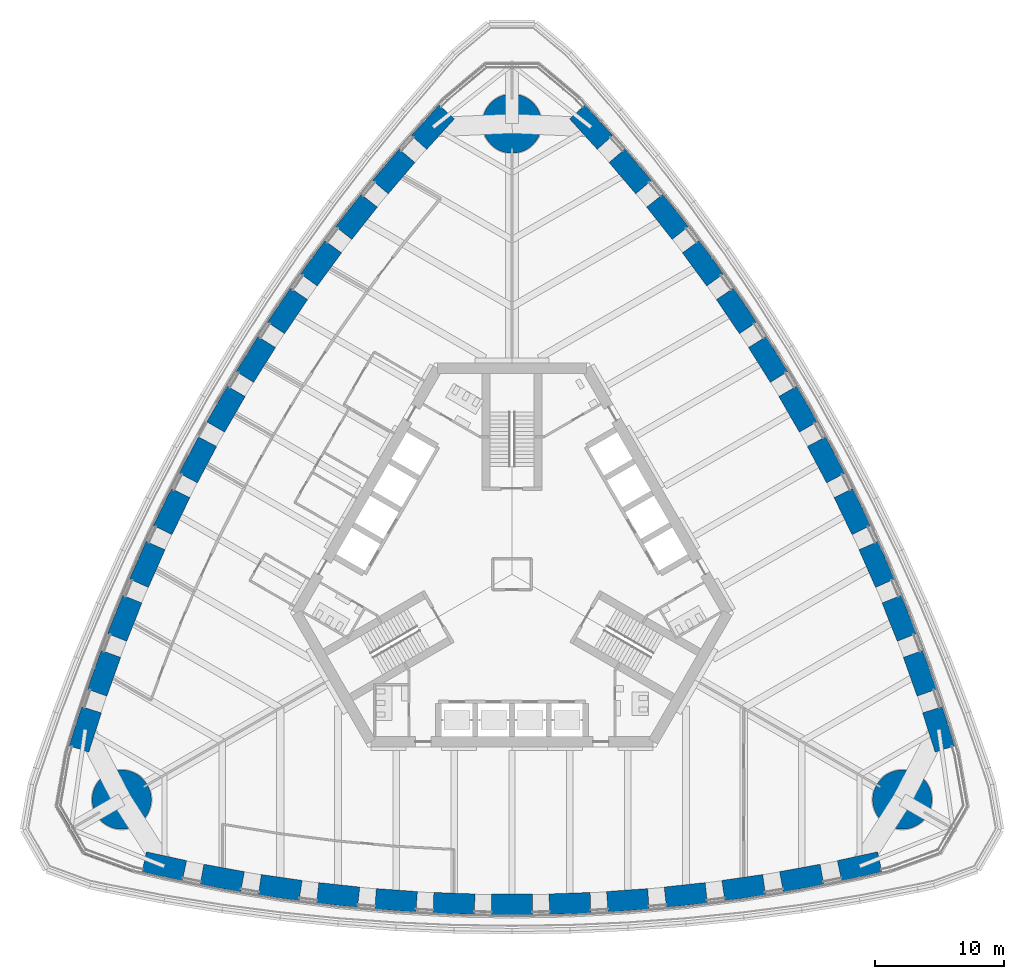
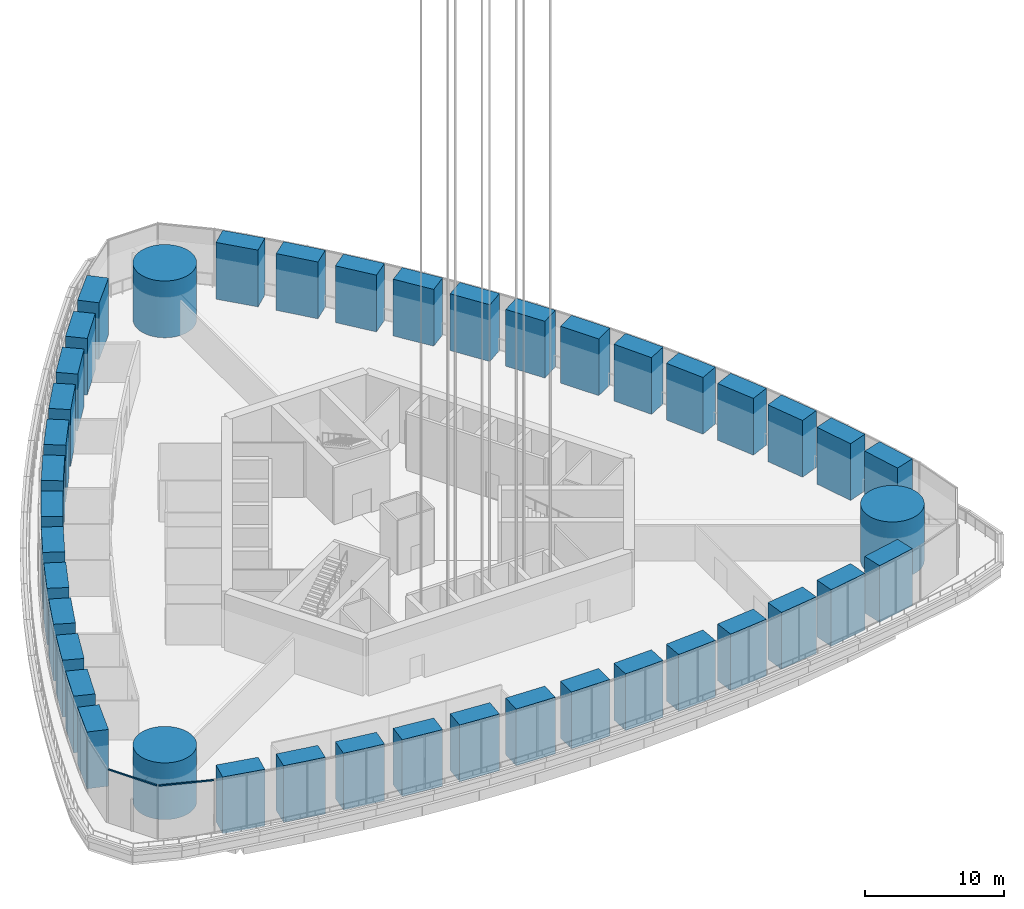
# One storey, part 1 of 33: 42 columns, 2 members, 1 element without a shape of its own.
"""IFC4 building model written with IfcOpenShell, lengths in metres."""

from ifc_helpers import new_model, si_unit, direction, frame, origin, origin_2d, place, context, subcontext, project, spatial, rectangle, circle, extrude, material, material_profile, profile_set, type_object, element, aggregate, save


model = new_model("IFC4")

# Units and contexts
model_context = context("Model", 3, precision=1e-05, world=origin(), true_north=direction((0.0, 1.0)))
body_context = subcontext(model_context, "Body", "Model", "MODEL_VIEW")
ifc_project = project(units=[si_unit("LENGTHUNIT", "METRE"), si_unit("AREAUNIT", "SQUARE_METRE"), si_unit("VOLUMEUNIT", "CUBIC_METRE"), si_unit("PLANEANGLEUNIT", "RADIAN"), si_unit("MASSUNIT", "GRAM", prefix="KILO")], contexts=[model_context])

# Site, building, storey
site_placement = place(None, origin())
site = spatial("IfcSite", under=ifc_project, at=site_placement, CompositionType="ELEMENT")
building_placement = place(site_placement, origin())
building = spatial("IfcBuilding", under=site, at=building_placement, Name="Trefoil Bronze Tower", CompositionType="ELEMENT")
storey_placement = place(building_placement, frame((0.0, 0.0, 98.10009765625)))
storey = spatial("IfcBuildingStorey", under=building, at=storey_placement, Name="L22", CompositionType="ELEMENT", Elevation=98.10009765625)

# Columns
ifc_material_1 = material(Name="Concrete B80", Category="concrete")
ifc_material_profile_1 = material_profile(ifc_material_1, circle(Radius=2.300048828125, at=origin_2d()), Name="RC D4600")
ifc_profile_set_1 = profile_set([ifc_material_profile_1], Name="Concrete B80")
column_type_1 = type_object("IfcColumnType", Name="Mega column RC D4600", PredefinedType="COLUMN", material=ifc_profile_set_1)
for number, where, z_axis, x_axis, name in (
    (1, (30.310791015625, -17.5, 0.0), (0.0, 0.0, 1.0), (1.0, 0.0, 0.0), "Mega column K1 L22"),
    (2, (0.0, 35.0, 0.0), (0.0, 0.0, 1.0), (1.0, 0.0, 0.0), "Mega column K2 L22"),
    (3, (-30.310791015625, -17.5, 0.0), (0.0, 0.0, 1.0), (1.0, 0.0, 0.0), "Mega column K3 L22"),
):
    element("IfcColumn", number, at=place(storey_placement, frame(where, z_axis=z_axis, x_axis=x_axis)), inside=storey, type_object=column_type_1, Name=name, PredefinedType="COLUMN", context=body_context, shape_type="SweptSolid", body=[
        extrude(circle(Radius=2.300048828125, at=origin_2d()), origin(), (0.0, 0.0, 1.0), 5.0),
    ])
ifc_material_2 = material(Name="Concrete B80", Category="concrete")
ifc_material_profile_2 = material_profile(ifc_material_2, rectangle(XDim=3.199951171875, YDim=1.60009765625, at=origin_2d()), Name="RC 3200x1600")
ifc_profile_set_2 = profile_set([ifc_material_profile_2], Name="Concrete B80")
column_type_2 = type_object("IfcColumnType", Name="Tube column RC 3200x1600", PredefinedType="COLUMN", material=ifc_profile_set_2)
for number, where, z_axis, x_axis, name in (
    (4, (-27.0, -22.67724609375, 0.0), (0.0, 0.0, 1.0), (0.977276081214, -0.21197042503, 0.0), "Tube column F1/-6 L22"),
    (5, (-22.5, -23.592529296875, 0.0), (0.0, 0.0, 1.0), (0.98362250613, -0.180240853954, 0.0), "Tube column F1/-5 L22"),
    (6, (-18.0, -24.337158203125, 0.0), (0.0, 0.0, 1.0), (0.989549714366, -0.144192103798, 0.0), "Tube column F1/-4 L22"),
    (7, (-13.5, -24.9130859375, 0.0), (0.0, 0.0, 1.0), (0.994135267447, -0.108143747013, 0.0), "Tube column F1/-3 L22"),
    (8, (-9.0, -25.32275390625, 0.0), (0.0, 0.0, 1.0), (0.997397720802, -0.072095676284, 0.0), "Tube column F1/-2 L22"),
    (9, (-4.5, -25.568115234375, 0.0), (0.0, 0.0, 1.0), (0.999350067136, -0.036047792107, 0.0), "Tube column F1/-1 L22"),
    (10, (0.0, -25.649658203125, 0.0), (0.0, 0.0, 1.0), (1.0, 0.0, 0.0), "Tube column F1/+0 L22"),
    (11, (4.5, -25.568115234375, 0.0), (0.0, 0.0, 1.0), (0.999350067136, 0.036047792107, 0.0), "Tube column F1/+1 L22"),
    (12, (9.0, -25.32275390625, 0.0), (0.0, 0.0, 1.0), (0.997397720802, 0.072095676284, 0.0), "Tube column F1/+2 L22"),
    (13, (13.5, -24.9130859375, 0.0), (0.0, 0.0, 1.0), (0.994135267447, 0.108143747013, 0.0), "Tube column F1/+3 L22"),
    (14, (18.0, -24.337158203125, 0.0), (0.0, 0.0, 1.0), (0.989549714366, 0.144192103798, 0.0), "Tube column F1/+4 L22"),
    (15, (22.5, -23.592529296875, 0.0), (0.0, 0.0, 1.0), (0.98362250613, 0.180240853954, 0.0), "Tube column F1/+5 L22"),
    (16, (27.0, -22.67724609375, 0.0), (0.0, 0.0, 1.0), (0.977276081214, 0.21197042503, 0.0), "Tube column F1/+6 L22"),
    (17, (33.13916015625, -12.044189453125, 0.0), (0.0, 0.0, 1.0), (-0.30506626768, 0.952331125357, 0.0), "Tube column F2/-6 L22"),
    (18, (31.681884765625, -7.689208984375, 0.0), (0.0, 0.0, 1.0), (-0.335718094742, 0.94196250502, 0.0), "Tube column F2/-5 L22"),
    (19, (30.07666015625, -3.419921875, 0.0), (0.0, 0.0, 1.0), (-0.369900832269, 0.929071242848, 0.0), "Tube column F2/-4 L22"),
    (20, (28.325439453125, 0.76513671875, 0.0), (0.0, 0.0, 1.0), (-0.40341240155, 0.915018269914, 0.0), "Tube column F2/-3 L22"),
    (21, (26.43017578125, 4.8671875, 0.0), (0.0, 0.0, 1.0), (-0.436262173236, 0.899819602033, 0.0), "Tube column F2/-2 L22"),
    (22, (24.392578125, 8.886962890625, 0.0), (0.0, 0.0, 1.0), (-0.468456729853, 0.883486441467, 0.0), "Tube column F2/-1 L22"),
    (23, (22.21337890625, 12.824951171875, 0.0), (0.0, 0.0, 1.0), (-0.5, 0.866025403784, 0.0), "Tube column F2/+0 L22"),
    (24, (19.892578125, 16.68115234375, 0.0), (0.0, 0.0, 1.0), (-0.530893337283, 0.84743864936, 0.0), "Tube column F2/+1 L22"),
    (25, (17.43017578125, 20.45556640625, 0.0), (0.0, 0.0, 1.0), (-0.561135547566, 0.827723925749, 0.0), "Tube column F2/+2 L22"),
    (26, (14.825439453125, 24.14794921875, 0.0), (0.0, 0.0, 1.0), (-0.590722865897, 0.806874522901, 0.0), "Tube column F2/+3 L22"),
    (27, (12.07666015625, 27.757080078125, 0.0), (0.0, 0.0, 1.0), (-0.619648882098, 0.78487913905, 0.0), "Tube column F2/+4 L22"),
    (28, (9.181884765625, 31.281982421875, 0.0), (0.0, 0.0, 1.0), (-0.647904411389, 0.761721651066, 0.0), "Tube column F2/+5 L22"),
    (29, (6.13916015625, 34.72119140625, 0.0), (0.0, 0.0, 1.0), (-0.672209813534, 0.740360700327, 0.0), "Tube column F2/+6 L22"),
    (30, (-6.13916015625, 34.72119140625, 0.0), (0.0, 0.0, 1.0), (-0.672209813534, -0.740360700327, 0.0), "Tube column F3/-6 L22"),
    (31, (-9.181884765625, 31.281982421875, 0.0), (0.0, 0.0, 1.0), (-0.647904411389, -0.761721651066, 0.0), "Tube column F3/-5 L22"),
    (32, (-12.07666015625, 27.757080078125, 0.0), (0.0, 0.0, 1.0), (-0.619648882098, -0.78487913905, 0.0), "Tube column F3/-4 L22"),
    (33, (-14.825439453125, 24.14794921875, 0.0), (0.0, 0.0, 1.0), (-0.590722865897, -0.806874522901, 0.0), "Tube column F3/-3 L22"),
    (34, (-17.43017578125, 20.45556640625, 0.0), (0.0, 0.0, 1.0), (-0.561135547566, -0.827723925749, 0.0), "Tube column F3/-2 L22"),
    (35, (-19.892578125, 16.68115234375, 0.0), (0.0, 0.0, 1.0), (-0.530893337283, -0.84743864936, 0.0), "Tube column F3/-1 L22"),
    (36, (-22.21337890625, 12.824951171875, 0.0), (0.0, 0.0, 1.0), (-0.5, -0.866025403784, 0.0), "Tube column F3/+0 L22"),
    (37, (-24.392578125, 8.886962890625, 0.0), (0.0, 0.0, 1.0), (-0.468456729853, -0.883486441467, 0.0), "Tube column F3/+1 L22"),
    (38, (-26.43017578125, 4.8671875, 0.0), (0.0, 0.0, 1.0), (-0.436262173236, -0.899819602033, 0.0), "Tube column F3/+2 L22"),
    (39, (-28.325439453125, 0.76513671875, 0.0), (0.0, 0.0, 1.0), (-0.40341240155, -0.915018269914, 0.0), "Tube column F3/+3 L22"),
    (40, (-30.07666015625, -3.419921875, 0.0), (0.0, 0.0, 1.0), (-0.369900832269, -0.929071242848, 0.0), "Tube column F3/+4 L22"),
    (41, (-31.681884765625, -7.689208984375, 0.0), (0.0, 0.0, 1.0), (-0.335718094742, -0.94196250502, 0.0), "Tube column F3/+5 L22"),
    (42, (-33.13916015625, -12.044189453125, 0.0), (0.0, 0.0, 1.0), (-0.30506626768, -0.952331125357, 0.0), "Tube column F3/+6 L22"),
):
    element("IfcColumn", number, at=place(storey_placement, frame(where, z_axis=z_axis, x_axis=x_axis)), inside=storey, type_object=column_type_2, Name=name, PredefinedType="COLUMN", context=body_context, shape_type="SweptSolid", body=[
        extrude(rectangle(XDim=3.199951171875, YDim=1.60009765625, at=origin_2d()), origin(), (0.0, 0.0, 1.0), 5.0),
    ])

# Curtain wall, members
ifc_material_3 = material(Name="Tinted solar-control glass", Category="glass")
curtain_wall_type = type_object("IfcCurtainWallType", Name="Bronze rounded corner curtain wall", PredefinedType="USERDEFINED", material=ifc_material_3)
curtain_wall_placement = place(storey_placement, origin())
curtain_wall = element("IfcCurtainWall", 43, at=curtain_wall_placement, inside=storey, type_object=curtain_wall_type, Name="CW-B L22 K3", ObjectType="CURTAIN WALL", PredefinedType="USERDEFINED")
ifc_material_4 = material(Name="Bronze-finish aluminium", Category="aluminium")
ifc_material_profile_3 = material_profile(ifc_material_4, rectangle(XDim=0.1201171875, YDim=0.10009765625, at=origin_2d()), Name="CW-B transom")
ifc_profile_set_3 = profile_set([ifc_material_profile_3], Name="Bronze-finish aluminium")
member_type = type_object("IfcMemberType", Name="Bronze rounded corner curtain wall transom", PredefinedType="USERDEFINED", material=ifc_profile_set_3)
member_1_placement = place(storey_placement, frame((-35.338134765625, -18.067626953125, 4.929931640625), z_axis=(0.500015078168, -0.866016698225, 0.0), x_axis=(0.866016698225, 0.500015078168, 0.0)))
member_1 = element("IfcMember", 44, at=member_1_placement, type_object=member_type, Name="CW-B L22 K3 transom 2", ObjectType="TRANSOM", PredefinedType="USERDEFINED", context=body_context, shape_type="SweptSolid", body=[
    extrude(rectangle(XDim=0.1201171875, YDim=0.10009765625, at=origin_2d()), origin(), (0.0, 0.0, 1.0), 4.04443359375),
])
member_2_placement = place(storey_placement, frame((-33.220458984375, -21.650146484375, 4.929931640625), z_axis=(0.939684096629, -0.342043562347, 0.0), x_axis=(0.342043562347, 0.939684096629, 0.0)))
member_2 = element("IfcMember", 45, at=member_2_placement, type_object=member_type, Name="CW-B L22 K3 transom 3", ObjectType="TRANSOM", PredefinedType="USERDEFINED", context=body_context, shape_type="SweptSolid", body=[
    extrude(rectangle(XDim=0.1201171875, YDim=0.10009765625, at=origin_2d()), origin(), (0.0, 0.0, 1.0), 4.044189453125),
])
aggregate(curtain_wall, [member_1, member_2])

save(model, "model.ifc")
